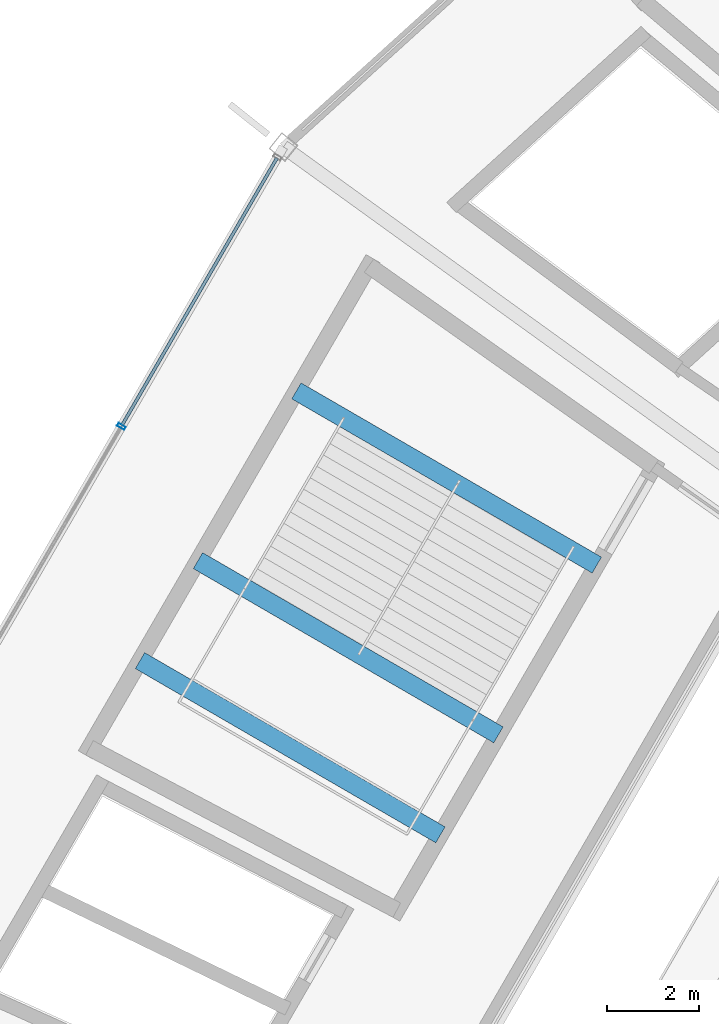
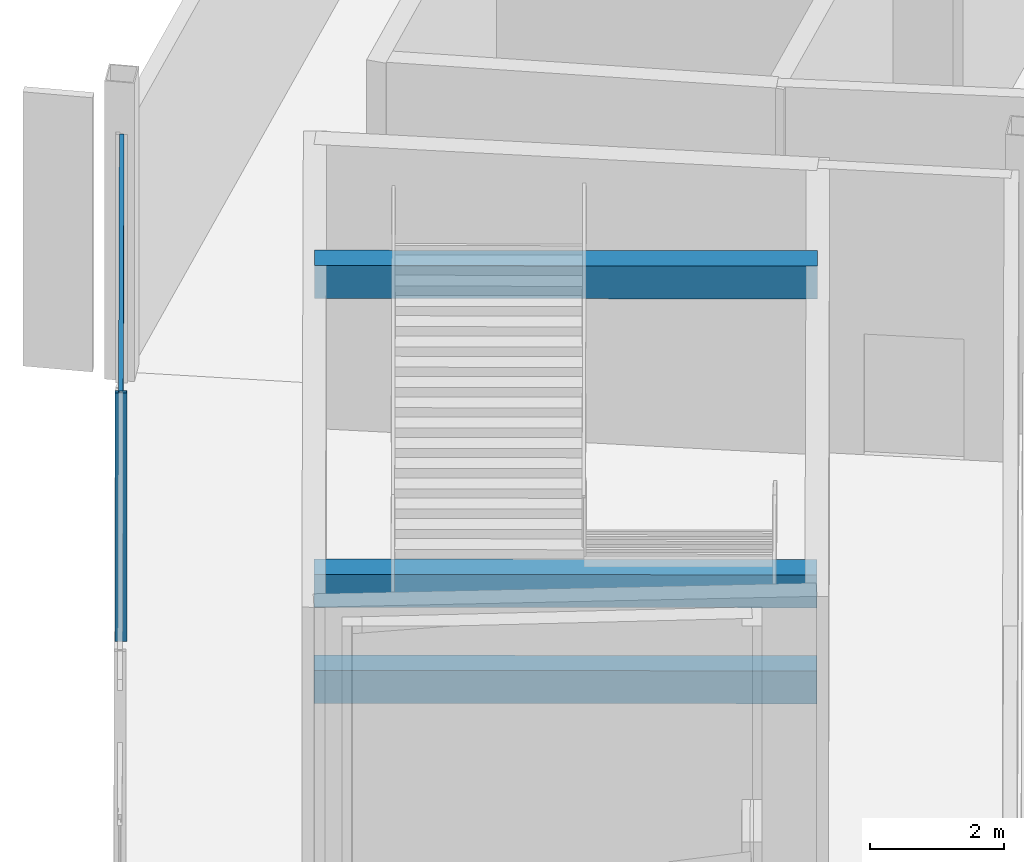
# One storey, part 84 of 186: 3 beams, 3 members, 1 element without a shape of its own.
"""IFC4 building model written with IfcOpenShell, lengths in metres."""

from ifc_helpers import new_model, si_unit, direction, frame, origin, origin_2d, place, context, subcontext, project, spatial, rectangle, hollow_rectangle, extrude, material, layer, layer_set, material_profile, profile_set, type_object, element, aggregate, save


model = new_model("IFC4")

# Units and contexts
model_context = context("Model", 3, precision=1e-05, world=origin(), true_north=direction((0.0, 1.0)))
body_context = subcontext(model_context, "Body", "Model", "MODEL_VIEW")
ifc_project = project(units=[si_unit("LENGTHUNIT", "METRE"), si_unit("AREAUNIT", "SQUARE_METRE"), si_unit("VOLUMEUNIT", "CUBIC_METRE"), si_unit("PLANEANGLEUNIT", "RADIAN"), si_unit("MASSUNIT", "GRAM", prefix="KILO")], contexts=[model_context])

# Site, building, storey
site_placement = place(None, origin())
site = spatial("IfcSite", under=ifc_project, at=site_placement, CompositionType="ELEMENT")
building_placement = place(site_placement, origin())
building = spatial("IfcBuilding", under=site, at=building_placement, Name="Kazemori Nagisa Stadium", CompositionType="ELEMENT")
storey_placement = place(building_placement, frame((0.0, 0.0, 20.39990234375)))
storey = spatial("IfcBuildingStorey", under=building, at=storey_placement, Name="L04", CompositionType="ELEMENT", Elevation=20.39990234375)

# Beams
ifc_material_1 = material(Name="Concrete C40/50 (Fc42)", Category="concrete")
ifc_material_profile_1 = material_profile(ifc_material_1, rectangle(XDim=0.39990234375, YDim=0.60009765625, at=origin_2d()), Name="RC-BM-400x600")
ifc_profile_set_1 = profile_set([ifc_material_profile_1], Name="Concrete C40/50 (Fc42)")
beam_type = type_object("IfcBeamType", Name="Beam_BG-LND400X600", PredefinedType="BEAM", material=ifc_profile_set_1)
beam_1_placement = place(storey_placement, frame((49.156494140625, 145.94970703125, 2.22021484375), z_axis=(-0.865108738479, 0.501584360409, 0.0), x_axis=(-0.501584360409, -0.865108738479, 0.0)))
element("IfcBeam", 1, at=beam_1_placement, inside=storey, type_object=beam_type, Name="Core stair mid-landing girder ST08-L04-1", PredefinedType="BEAM", context=body_context, shape_type="SweptSolid", body=[
    extrude(rectangle(XDim=0.39990234375, YDim=0.60009765625, at=origin_2d()), origin(), (0.0, 0.0, 1.0), 7.513671875),
])
beam_2_placement = place(storey_placement, frame((47.90234375, 143.786865234375, 2.22021484375), z_axis=(-0.865094639125, 0.501608677514, 0.0), x_axis=(-0.501608677514, -0.865094639125, 0.0)))
element("IfcBeam", 2, at=beam_2_placement, inside=storey, type_object=beam_type, Name="Core stair mid-landing girder ST08-L04-2", PredefinedType="BEAM", context=body_context, shape_type="SweptSolid", body=[
    extrude(rectangle(XDim=0.39990234375, YDim=0.60009765625, at=origin_2d()), origin(), (0.0, 0.0, 1.0), 7.513916015625),
])
beam_3_placement = place(storey_placement, frame((51.28564453125, 149.621826171875, 4.880126953125), z_axis=(-0.865086463473, 0.50162277731, 0.0), x_axis=(-0.50162277731, -0.865086463473, 0.0)))
element("IfcBeam", 3, at=beam_3_placement, inside=storey, type_object=beam_type, Name="Core stair arrival header girder ST08-L04", PredefinedType="BEAM", context=body_context, shape_type="SweptSolid", body=[
    extrude(rectangle(XDim=0.39990234375, YDim=0.60009765625, at=origin_2d()), origin(), (0.0, 0.0, 1.0), 7.513671875),
])

# Curtain wall, members
ifc_material_2 = material(Name="Anodised aluminium 6063-T5", Category="aluminium")
ifc_layer = layer(ifc_material_2, 0.179931640625, Name="Anodised aluminium 6063-T5", Category="aluminium")
ifc_layer_set = layer_set([ifc_layer], Name="Anodised aluminium 6063-T5")
curtain_wall_type = type_object("IfcCurtainWallType", Name="CW_L04R3_101", PredefinedType="USERDEFINED", material=ifc_layer_set)
curtain_wall_placement = place(storey_placement, origin())
curtain_wall = element("IfcCurtainWall", 4, at=curtain_wall_placement, inside=storey, type_object=curtain_wall_type, Name="Unitised curtain wall CW-L04R3-101 L04", ObjectType="UNITISED CURTAIN WALL", PredefinedType="USERDEFINED")
ifc_material_3 = material(Name="Aluminium 6063-T5 anodised", Category="aluminium")
ifc_material_profile_2 = material_profile(ifc_material_3, hollow_rectangle(XDim=0.070068359375, YDim=0.179931640625, WallThickness=0.00390625, at=origin_2d()), Name="ALU-MULL-70x180x4")
ifc_profile_set_2 = profile_set([ifc_material_profile_2], Name="Aluminium 6063-T5 anodised")
member_type_1 = type_object("IfcMemberType", Name="Mullion_M01", PredefinedType="MULLION", material=ifc_profile_set_2)
member_1_placement = place(storey_placement, frame((40.998779296875, 152.621337890625, 0.0), z_axis=(0.0, 0.0, 1.0), x_axis=(-0.501611590054, -0.865092950337, 0.0)))
member_1 = element("IfcMember", 5, at=member_1_placement, type_object=member_type_1, Name="Curtain wall mullion CW-L04R3-101-M2", PredefinedType="MULLION", context=body_context, shape_type="SweptSolid", body=[
    extrude(hollow_rectangle(XDim=0.070068359375, YDim=0.179931640625, WallThickness=0.00390625, at=origin_2d()), origin(), (0.0, 0.0, 1.0), 4.530029296875),
])
ifc_material_profile_3 = material_profile(ifc_material_3, hollow_rectangle(XDim=0.070068359375, YDim=0.139892578125, WallThickness=0.00390625, at=origin_2d()), Name="ALU-TRAN-70x140x4")
ifc_profile_set_3 = profile_set([ifc_material_profile_3], Name="Aluminium 6063-T5 anodised")
member_type_2 = type_object("IfcMemberType", Name="Transom_T01", PredefinedType="USERDEFINED", material=ifc_profile_set_3)
member_2_placement = place(storey_placement, frame((44.36669921875, 158.4296875, 2.80859375), z_axis=(-0.50161984125, -0.865088165948, 0.0), x_axis=(0.865088165948, -0.50161984125, 0.0)))
member_2 = element("IfcMember", 6, at=member_2_placement, type_object=member_type_2, Name="Curtain wall transom CW-L04R3-101-T1-mid", ObjectType="TRANSOM", PredefinedType="USERDEFINED", context=body_context, shape_type="SweptSolid", body=[
    extrude(hollow_rectangle(XDim=0.070068359375, YDim=0.139892578125, WallThickness=0.00390625, at=origin_2d()), origin(), (0.0, 0.0, 1.0), 6.694091796875),
])
member_3_placement = place(storey_placement, frame((44.36669921875, 158.4296875, 4.460205078125), z_axis=(-0.50161984125, -0.865088165948, 0.0), x_axis=(0.865088165948, -0.50161984125, 0.0)))
member_3 = element("IfcMember", 7, at=member_3_placement, type_object=member_type_2, Name="Curtain wall transom CW-L04R3-101-T1-head", ObjectType="TRANSOM", PredefinedType="USERDEFINED", context=body_context, shape_type="SweptSolid", body=[
    extrude(hollow_rectangle(XDim=0.070068359375, YDim=0.139892578125, WallThickness=0.00390625, at=origin_2d()), origin(), (0.0, 0.0, 1.0), 6.694091796875),
])
aggregate(curtain_wall, [member_1, member_2, member_3])

save(model, "model.ifc")
